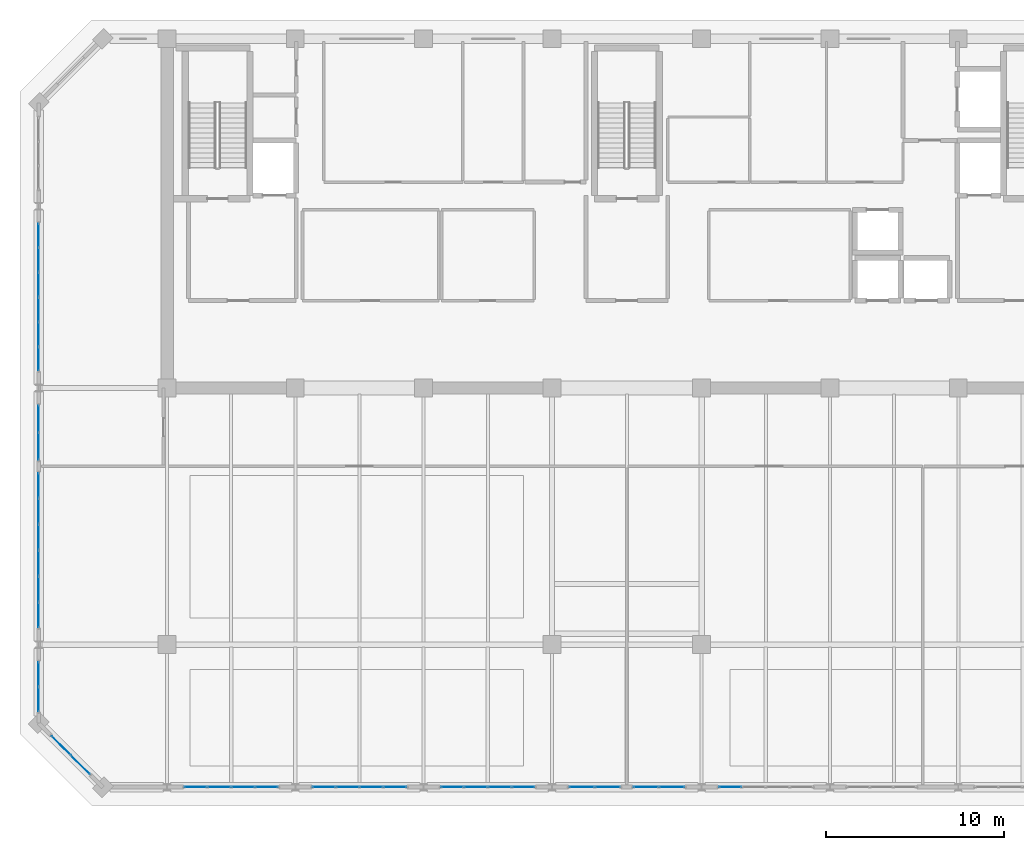
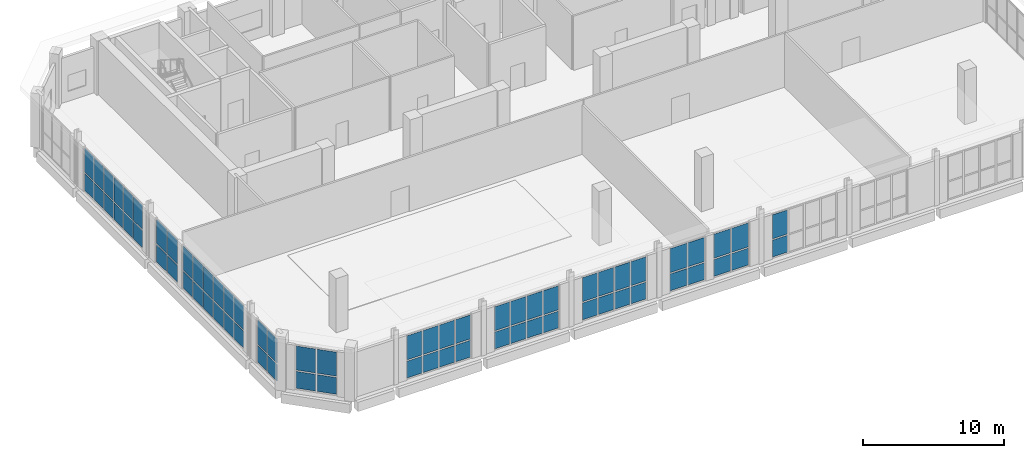
# One storey, part 27 of 36: 70 plates, 11 elements without a shape of their own.
"""IFC4 building model written with IfcOpenShell, lengths in metres."""

from ifc_helpers import new_model, si_unit, direction, frame, origin, origin_2d, place, context, subcontext, project, spatial, rectangle, extrude, material, layer, layer_set, type_object, element, aggregate, save


model = new_model("IFC4")

# Units and contexts
model_context = context("Model", 3, precision=1e-05, world=origin(), true_north=direction((0.0, 1.0)))
body_context = subcontext(model_context, "Body", "Model", "MODEL_VIEW")
ifc_project = project(units=[si_unit("LENGTHUNIT", "METRE"), si_unit("AREAUNIT", "SQUARE_METRE"), si_unit("VOLUMEUNIT", "CUBIC_METRE"), si_unit("PLANEANGLEUNIT", "RADIAN"), si_unit("MASSUNIT", "GRAM", prefix="KILO")], contexts=[model_context])

# Site, building, storey
site_placement = place(None, origin())
site = spatial("IfcSite", under=ifc_project, at=site_placement, CompositionType="ELEMENT")
building_placement = place(site_placement, origin())
building = spatial("IfcBuilding", under=site, at=building_placement, Name="Kaelvorn Grand Hotel", CompositionType="ELEMENT")
storey_placement = place(building_placement, frame((0.0, 0.0, 305.699951171875)))
storey = spatial("IfcBuildingStorey", under=building, at=storey_placement, Name="L74", CompositionType="ELEMENT", Elevation=305.699951171875)

# Curtain wall, plates
ifc_material_1 = material(Name="Anodised Aluminium", Category="aluminium")
ifc_layer_1 = layer(ifc_material_1, 0.159912109375)
ifc_layer_set_1 = layer_set([ifc_layer_1], Name="Anodised Aluminium")
curtain_wall_type = type_object("IfcCurtainWallType", Name="CW-SYS6", PredefinedType="NOTDEFINED", material=ifc_layer_set_1)
curtain_wall_1_placement = place(storey_placement, origin())
curtain_wall_1 = element("IfcCurtainWall", 1, at=curtain_wall_1_placement, inside=storey, type_object=curtain_wall_type, Name="L74 Unitised Curtain Wall CW6 (CW-L74-S-01)", PredefinedType="NOTDEFINED")
ifc_material_2 = material(Name="Laminated Low-E Glass", Category="glass")
ifc_layer_2 = layer(ifc_material_2, 0.02587890625)
ifc_layer_set_2 = layer_set([ifc_layer_2], Name="Laminated Low-E Glass")
plate_type = type_object("IfcPlateType", Name="CW-SYS6-PAN", PredefinedType="CURTAIN_PANEL", material=ifc_layer_set_2)
plate_1_placement = place(storey_placement, frame((17.80615234375, 7.0, 0.1201171875), z_axis=(0.0, 0.0, 1.0), x_axis=(1.0, 0.0, 0.0)))
plate_1 = element("IfcPlate", 2, at=plate_1_placement, type_object=plate_type, Name="CW6 panel 1.1", PredefinedType="CURTAIN_PANEL", context=body_context, shape_type="SweptSolid", body=[
    extrude(rectangle(XDim=1.242431640625, YDim=0.02587890625, at=origin_2d()), origin(), (0.0, 0.0, 1.0), 1.4580078125),
])
plate_2_placement = place(storey_placement, frame((17.80615234375, 7.0, 1.697998046875), z_axis=(0.0, 0.0, 1.0), x_axis=(1.0, 0.0, 0.0)))
plate_2 = element("IfcPlate", 3, at=plate_2_placement, type_object=plate_type, Name="CW6 panel 1.2", PredefinedType="CURTAIN_PANEL", context=body_context, shape_type="SweptSolid", body=[
    extrude(rectangle(XDim=1.242431640625, YDim=0.02587890625, at=origin_2d()), origin(), (0.0, 0.0, 1.0), 2.08203125),
])
plate_3_placement = place(storey_placement, frame((19.1298828125, 7.0, 0.1201171875), z_axis=(0.0, 0.0, 1.0), x_axis=(1.0, 0.0, 0.0)))
plate_3 = element("IfcPlate", 4, at=plate_3_placement, type_object=plate_type, Name="CW6 panel 2.1", PredefinedType="CURTAIN_PANEL", context=body_context, shape_type="SweptSolid", body=[
    extrude(rectangle(XDim=1.27490234375, YDim=0.02587890625, at=origin_2d()), origin(), (0.0, 0.0, 1.0), 1.4580078125),
])
plate_4_placement = place(storey_placement, frame((19.1298828125, 7.0, 1.697998046875), z_axis=(0.0, 0.0, 1.0), x_axis=(1.0, 0.0, 0.0)))
plate_4 = element("IfcPlate", 5, at=plate_4_placement, type_object=plate_type, Name="CW6 panel 2.2", PredefinedType="CURTAIN_PANEL", context=body_context, shape_type="SweptSolid", body=[
    extrude(rectangle(XDim=1.27490234375, YDim=0.02587890625, at=origin_2d()), origin(), (0.0, 0.0, 1.0), 2.08203125),
])
plate_5_placement = place(storey_placement, frame((20.469970703125, 7.0, 0.1201171875), z_axis=(0.0, 0.0, 1.0), x_axis=(1.0, 0.0, 0.0)))
plate_5 = element("IfcPlate", 6, at=plate_5_placement, type_object=plate_type, Name="CW6 panel 3.1", PredefinedType="CURTAIN_PANEL", context=body_context, shape_type="SweptSolid", body=[
    extrude(rectangle(XDim=1.27490234375, YDim=0.02587890625, at=origin_2d()), origin(), (0.0, 0.0, 1.0), 1.4580078125),
])
plate_6_placement = place(storey_placement, frame((20.469970703125, 7.0, 1.697998046875), z_axis=(0.0, 0.0, 1.0), x_axis=(1.0, 0.0, 0.0)))
plate_6 = element("IfcPlate", 7, at=plate_6_placement, type_object=plate_type, Name="CW6 panel 3.2", PredefinedType="CURTAIN_PANEL", context=body_context, shape_type="SweptSolid", body=[
    extrude(rectangle(XDim=1.27490234375, YDim=0.02587890625, at=origin_2d()), origin(), (0.0, 0.0, 1.0), 2.08203125),
])
plate_7_placement = place(storey_placement, frame((21.793701171875, 7.0, 0.1201171875), z_axis=(0.0, 0.0, 1.0), x_axis=(1.0, 0.0, 0.0)))
plate_7 = element("IfcPlate", 8, at=plate_7_placement, type_object=plate_type, Name="CW6 panel 4.1", PredefinedType="CURTAIN_PANEL", context=body_context, shape_type="SweptSolid", body=[
    extrude(rectangle(XDim=1.242431640625, YDim=0.02587890625, at=origin_2d()), origin(), (0.0, 0.0, 1.0), 1.4580078125),
])
plate_8_placement = place(storey_placement, frame((21.793701171875, 7.0, 1.697998046875), z_axis=(0.0, 0.0, 1.0), x_axis=(1.0, 0.0, 0.0)))
plate_8 = element("IfcPlate", 9, at=plate_8_placement, type_object=plate_type, Name="CW6 panel 4.2", PredefinedType="CURTAIN_PANEL", context=body_context, shape_type="SweptSolid", body=[
    extrude(rectangle(XDim=1.242431640625, YDim=0.02587890625, at=origin_2d()), origin(), (0.0, 0.0, 1.0), 2.08203125),
])
aggregate(curtain_wall_1, [plate_1, plate_2, plate_3, plate_4, plate_5, plate_6, plate_7, plate_8])

curtain_wall_2_placement = place(storey_placement, origin())
curtain_wall_2 = element("IfcCurtainWall", 10, at=curtain_wall_2_placement, inside=storey, type_object=curtain_wall_type, Name="L74 Unitised Curtain Wall CW6 (CW-L74-S-02)", PredefinedType="NOTDEFINED")
plate_9_placement = place(storey_placement, frame((25.00634765625, 7.0, 0.1201171875), z_axis=(0.0, 0.0, 1.0), x_axis=(1.0, 0.0, 0.0)))
plate_9 = element("IfcPlate", 11, at=plate_9_placement, type_object=plate_type, Name="CW6 panel 1.1", PredefinedType="CURTAIN_PANEL", context=body_context, shape_type="SweptSolid", body=[
    extrude(rectangle(XDim=1.242431640625, YDim=0.02587890625, at=origin_2d()), origin(), (0.0, 0.0, 1.0), 1.4580078125),
])
plate_10_placement = place(storey_placement, frame((25.00634765625, 7.0, 1.697998046875), z_axis=(0.0, 0.0, 1.0), x_axis=(1.0, 0.0, 0.0)))
plate_10 = element("IfcPlate", 12, at=plate_10_placement, type_object=plate_type, Name="CW6 panel 1.2", PredefinedType="CURTAIN_PANEL", context=body_context, shape_type="SweptSolid", body=[
    extrude(rectangle(XDim=1.242431640625, YDim=0.02587890625, at=origin_2d()), origin(), (0.0, 0.0, 1.0), 2.08203125),
])
plate_11_placement = place(storey_placement, frame((26.330078125, 7.0, 0.1201171875), z_axis=(0.0, 0.0, 1.0), x_axis=(1.0, 0.0, 0.0)))
plate_11 = element("IfcPlate", 13, at=plate_11_placement, type_object=plate_type, Name="CW6 panel 2.1", PredefinedType="CURTAIN_PANEL", context=body_context, shape_type="SweptSolid", body=[
    extrude(rectangle(XDim=1.27490234375, YDim=0.02587890625, at=origin_2d()), origin(), (0.0, 0.0, 1.0), 1.4580078125),
])
plate_12_placement = place(storey_placement, frame((26.330078125, 7.0, 1.697998046875), z_axis=(0.0, 0.0, 1.0), x_axis=(1.0, 0.0, 0.0)))
plate_12 = element("IfcPlate", 14, at=plate_12_placement, type_object=plate_type, Name="CW6 panel 2.2", PredefinedType="CURTAIN_PANEL", context=body_context, shape_type="SweptSolid", body=[
    extrude(rectangle(XDim=1.27490234375, YDim=0.02587890625, at=origin_2d()), origin(), (0.0, 0.0, 1.0), 2.08203125),
])
plate_13_placement = place(storey_placement, frame((27.669921875, 7.0, 0.1201171875), z_axis=(0.0, 0.0, 1.0), x_axis=(1.0, 0.0, 0.0)))
plate_13 = element("IfcPlate", 15, at=plate_13_placement, type_object=plate_type, Name="CW6 panel 3.1", PredefinedType="CURTAIN_PANEL", context=body_context, shape_type="SweptSolid", body=[
    extrude(rectangle(XDim=1.27490234375, YDim=0.02587890625, at=origin_2d()), origin(), (0.0, 0.0, 1.0), 1.4580078125),
])
plate_14_placement = place(storey_placement, frame((27.669921875, 7.0, 1.697998046875), z_axis=(0.0, 0.0, 1.0), x_axis=(1.0, 0.0, 0.0)))
plate_14 = element("IfcPlate", 16, at=plate_14_placement, type_object=plate_type, Name="CW6 panel 3.2", PredefinedType="CURTAIN_PANEL", context=body_context, shape_type="SweptSolid", body=[
    extrude(rectangle(XDim=1.27490234375, YDim=0.02587890625, at=origin_2d()), origin(), (0.0, 0.0, 1.0), 2.08203125),
])
plate_15_placement = place(storey_placement, frame((28.99365234375, 7.0, 0.1201171875), z_axis=(0.0, 0.0, 1.0), x_axis=(1.0, 0.0, 0.0)))
plate_15 = element("IfcPlate", 17, at=plate_15_placement, type_object=plate_type, Name="CW6 panel 4.1", PredefinedType="CURTAIN_PANEL", context=body_context, shape_type="SweptSolid", body=[
    extrude(rectangle(XDim=1.242431640625, YDim=0.02587890625, at=origin_2d()), origin(), (0.0, 0.0, 1.0), 1.4580078125),
])
plate_16_placement = place(storey_placement, frame((28.99365234375, 7.0, 1.697998046875), z_axis=(0.0, 0.0, 1.0), x_axis=(1.0, 0.0, 0.0)))
plate_16 = element("IfcPlate", 18, at=plate_16_placement, type_object=plate_type, Name="CW6 panel 4.2", PredefinedType="CURTAIN_PANEL", context=body_context, shape_type="SweptSolid", body=[
    extrude(rectangle(XDim=1.242431640625, YDim=0.02587890625, at=origin_2d()), origin(), (0.0, 0.0, 1.0), 2.08203125),
])
aggregate(curtain_wall_2, [plate_9, plate_10, plate_11, plate_12, plate_13, plate_14, plate_15, plate_16])

curtain_wall_3_placement = place(storey_placement, origin())
curtain_wall_3 = element("IfcCurtainWall", 19, at=curtain_wall_3_placement, inside=storey, type_object=curtain_wall_type, Name="L74 Unitised Curtain Wall CW6 (CW-L74-S-03)", PredefinedType="NOTDEFINED")
plate_17_placement = place(storey_placement, frame((32.206298828125, 7.0, 0.1201171875), z_axis=(0.0, 0.0, 1.0), x_axis=(1.0, 0.0, 0.0)))
plate_17 = element("IfcPlate", 20, at=plate_17_placement, type_object=plate_type, Name="CW6 panel 1.1", PredefinedType="CURTAIN_PANEL", context=body_context, shape_type="SweptSolid", body=[
    extrude(rectangle(XDim=1.242431640625, YDim=0.02587890625, at=origin_2d()), origin(), (0.0, 0.0, 1.0), 1.4580078125),
])
plate_18_placement = place(storey_placement, frame((32.206298828125, 7.0, 1.697998046875), z_axis=(0.0, 0.0, 1.0), x_axis=(1.0, 0.0, 0.0)))
plate_18 = element("IfcPlate", 21, at=plate_18_placement, type_object=plate_type, Name="CW6 panel 1.2", PredefinedType="CURTAIN_PANEL", context=body_context, shape_type="SweptSolid", body=[
    extrude(rectangle(XDim=1.242431640625, YDim=0.02587890625, at=origin_2d()), origin(), (0.0, 0.0, 1.0), 2.08203125),
])
plate_19_placement = place(storey_placement, frame((33.530029296875, 7.0, 0.1201171875), z_axis=(0.0, 0.0, 1.0), x_axis=(1.0, 0.0, 0.0)))
plate_19 = element("IfcPlate", 22, at=plate_19_placement, type_object=plate_type, Name="CW6 panel 2.1", PredefinedType="CURTAIN_PANEL", context=body_context, shape_type="SweptSolid", body=[
    extrude(rectangle(XDim=1.27490234375, YDim=0.02587890625, at=origin_2d()), origin(), (0.0, 0.0, 1.0), 1.4580078125),
])
plate_20_placement = place(storey_placement, frame((33.530029296875, 7.0, 1.697998046875), z_axis=(0.0, 0.0, 1.0), x_axis=(1.0, 0.0, 0.0)))
plate_20 = element("IfcPlate", 23, at=plate_20_placement, type_object=plate_type, Name="CW6 panel 2.2", PredefinedType="CURTAIN_PANEL", context=body_context, shape_type="SweptSolid", body=[
    extrude(rectangle(XDim=1.27490234375, YDim=0.02587890625, at=origin_2d()), origin(), (0.0, 0.0, 1.0), 2.08203125),
])
plate_21_placement = place(storey_placement, frame((34.8701171875, 7.0, 0.1201171875), z_axis=(0.0, 0.0, 1.0), x_axis=(1.0, 0.0, 0.0)))
plate_21 = element("IfcPlate", 24, at=plate_21_placement, type_object=plate_type, Name="CW6 panel 3.1", PredefinedType="CURTAIN_PANEL", context=body_context, shape_type="SweptSolid", body=[
    extrude(rectangle(XDim=1.27490234375, YDim=0.02587890625, at=origin_2d()), origin(), (0.0, 0.0, 1.0), 1.4580078125),
])
plate_22_placement = place(storey_placement, frame((34.8701171875, 7.0, 1.697998046875), z_axis=(0.0, 0.0, 1.0), x_axis=(1.0, 0.0, 0.0)))
plate_22 = element("IfcPlate", 25, at=plate_22_placement, type_object=plate_type, Name="CW6 panel 3.2", PredefinedType="CURTAIN_PANEL", context=body_context, shape_type="SweptSolid", body=[
    extrude(rectangle(XDim=1.27490234375, YDim=0.02587890625, at=origin_2d()), origin(), (0.0, 0.0, 1.0), 2.08203125),
])
plate_23_placement = place(storey_placement, frame((36.19384765625, 7.0, 0.1201171875), z_axis=(0.0, 0.0, 1.0), x_axis=(1.0, 0.0, 0.0)))
plate_23 = element("IfcPlate", 26, at=plate_23_placement, type_object=plate_type, Name="CW6 panel 4.1", PredefinedType="CURTAIN_PANEL", context=body_context, shape_type="SweptSolid", body=[
    extrude(rectangle(XDim=1.242431640625, YDim=0.02587890625, at=origin_2d()), origin(), (0.0, 0.0, 1.0), 1.4580078125),
])
plate_24_placement = place(storey_placement, frame((36.19384765625, 7.0, 1.697998046875), z_axis=(0.0, 0.0, 1.0), x_axis=(1.0, 0.0, 0.0)))
plate_24 = element("IfcPlate", 27, at=plate_24_placement, type_object=plate_type, Name="CW6 panel 4.2", PredefinedType="CURTAIN_PANEL", context=body_context, shape_type="SweptSolid", body=[
    extrude(rectangle(XDim=1.242431640625, YDim=0.02587890625, at=origin_2d()), origin(), (0.0, 0.0, 1.0), 2.08203125),
])
aggregate(curtain_wall_3, [plate_17, plate_18, plate_19, plate_20, plate_21, plate_22, plate_23, plate_24])

curtain_wall_4_placement = place(storey_placement, origin())
curtain_wall_4 = element("IfcCurtainWall", 28, at=curtain_wall_4_placement, inside=storey, type_object=curtain_wall_type, Name="L74 Unitised Curtain Wall CW6 (CW-L74-S-04)", PredefinedType="NOTDEFINED")
plate_25_placement = place(storey_placement, frame((39.476318359375, 7.0, 0.1201171875), z_axis=(0.0, 0.0, 1.0), x_axis=(1.0, 0.0, 0.0)))
plate_25 = element("IfcPlate", 29, at=plate_25_placement, type_object=plate_type, Name="CW6 panel 1.1", PredefinedType="CURTAIN_PANEL", context=body_context, shape_type="SweptSolid", body=[
    extrude(rectangle(XDim=1.382568359375, YDim=0.02587890625, at=origin_2d()), origin(), (0.0, 0.0, 1.0), 1.4580078125),
])
plate_26_placement = place(storey_placement, frame((39.476318359375, 7.0, 1.697998046875), z_axis=(0.0, 0.0, 1.0), x_axis=(1.0, 0.0, 0.0)))
plate_26 = element("IfcPlate", 30, at=plate_26_placement, type_object=plate_type, Name="CW6 panel 1.2", PredefinedType="CURTAIN_PANEL", context=body_context, shape_type="SweptSolid", body=[
    extrude(rectangle(XDim=1.382568359375, YDim=0.02587890625, at=origin_2d()), origin(), (0.0, 0.0, 1.0), 2.08203125),
])
plate_27_placement = place(storey_placement, frame((40.923828125, 7.0, 0.1201171875), z_axis=(0.0, 0.0, 1.0), x_axis=(1.0, 0.0, 0.0)))
plate_27 = element("IfcPlate", 31, at=plate_27_placement, type_object=plate_type, Name="CW6 panel 2.1", PredefinedType="CURTAIN_PANEL", context=body_context, shape_type="SweptSolid", body=[
    extrude(rectangle(XDim=1.382568359375, YDim=0.02587890625, at=origin_2d()), origin(), (0.0, 0.0, 1.0), 1.4580078125),
])
plate_28_placement = place(storey_placement, frame((40.923828125, 7.0, 1.697998046875), z_axis=(0.0, 0.0, 1.0), x_axis=(1.0, 0.0, 0.0)))
plate_28 = element("IfcPlate", 32, at=plate_28_placement, type_object=plate_type, Name="CW6 panel 2.2", PredefinedType="CURTAIN_PANEL", context=body_context, shape_type="SweptSolid", body=[
    extrude(rectangle(XDim=1.382568359375, YDim=0.02587890625, at=origin_2d()), origin(), (0.0, 0.0, 1.0), 2.08203125),
])
aggregate(curtain_wall_4, [plate_25, plate_26, plate_27, plate_28])

curtain_wall_5_placement = place(storey_placement, origin())
curtain_wall_5 = element("IfcCurtainWall", 33, at=curtain_wall_5_placement, inside=storey, type_object=curtain_wall_type, Name="L74 Unitised Curtain Wall CW6 (CW-L74-S-05)", PredefinedType="NOTDEFINED")
plate_29_placement = place(storey_placement, frame((43.076171875, 7.0, 0.1201171875), z_axis=(0.0, 0.0, 1.0), x_axis=(1.0, 0.0, 0.0)))
plate_29 = element("IfcPlate", 34, at=plate_29_placement, type_object=plate_type, Name="CW6 panel 1.1", PredefinedType="CURTAIN_PANEL", context=body_context, shape_type="SweptSolid", body=[
    extrude(rectangle(XDim=1.382568359375, YDim=0.02587890625, at=origin_2d()), origin(), (0.0, 0.0, 1.0), 1.4580078125),
])
plate_30_placement = place(storey_placement, frame((43.076171875, 7.0, 1.697998046875), z_axis=(0.0, 0.0, 1.0), x_axis=(1.0, 0.0, 0.0)))
plate_30 = element("IfcPlate", 35, at=plate_30_placement, type_object=plate_type, Name="CW6 panel 1.2", PredefinedType="CURTAIN_PANEL", context=body_context, shape_type="SweptSolid", body=[
    extrude(rectangle(XDim=1.382568359375, YDim=0.02587890625, at=origin_2d()), origin(), (0.0, 0.0, 1.0), 2.08203125),
])
plate_31_placement = place(storey_placement, frame((44.523681640625, 7.0, 0.1201171875), z_axis=(0.0, 0.0, 1.0), x_axis=(1.0, 0.0, 0.0)))
plate_31 = element("IfcPlate", 36, at=plate_31_placement, type_object=plate_type, Name="CW6 panel 2.1", PredefinedType="CURTAIN_PANEL", context=body_context, shape_type="SweptSolid", body=[
    extrude(rectangle(XDim=1.382568359375, YDim=0.02587890625, at=origin_2d()), origin(), (0.0, 0.0, 1.0), 1.4580078125),
])
plate_32_placement = place(storey_placement, frame((44.523681640625, 7.0, 1.697998046875), z_axis=(0.0, 0.0, 1.0), x_axis=(1.0, 0.0, 0.0)))
plate_32 = element("IfcPlate", 37, at=plate_32_placement, type_object=plate_type, Name="CW6 panel 2.2", PredefinedType="CURTAIN_PANEL", context=body_context, shape_type="SweptSolid", body=[
    extrude(rectangle(XDim=1.382568359375, YDim=0.02587890625, at=origin_2d()), origin(), (0.0, 0.0, 1.0), 2.08203125),
])
aggregate(curtain_wall_5, [plate_29, plate_30, plate_31, plate_32])

curtain_wall_6_placement = place(storey_placement, origin())
curtain_wall_6 = element("IfcCurtainWall", 38, at=curtain_wall_6_placement, inside=storey, type_object=curtain_wall_type, Name="L74 Unitised Curtain Wall CW6 (CW-L74-S-06)", PredefinedType="NOTDEFINED")
plate_33_placement = place(storey_placement, frame((47.80615234375, 7.0, 0.1201171875), z_axis=(0.0, 0.0, 1.0), x_axis=(1.0, 0.0, 0.0)))
plate_33 = element("IfcPlate", 39, at=plate_33_placement, type_object=plate_type, Name="CW6 panel 1.1", PredefinedType="CURTAIN_PANEL", context=body_context, shape_type="SweptSolid", body=[
    extrude(rectangle(XDim=1.242431640625, YDim=0.02587890625, at=origin_2d()), origin(), (0.0, 0.0, 1.0), 1.4580078125),
])
plate_34_placement = place(storey_placement, frame((47.80615234375, 7.0, 1.697998046875), z_axis=(0.0, 0.0, 1.0), x_axis=(1.0, 0.0, 0.0)))
plate_34 = element("IfcPlate", 40, at=plate_34_placement, type_object=plate_type, Name="CW6 panel 1.2", PredefinedType="CURTAIN_PANEL", context=body_context, shape_type="SweptSolid", body=[
    extrude(rectangle(XDim=1.242431640625, YDim=0.02587890625, at=origin_2d()), origin(), (0.0, 0.0, 1.0), 2.08203125),
])
aggregate(curtain_wall_6, [plate_33, plate_34])

curtain_wall_7_placement = place(storey_placement, origin())
curtain_wall_7 = element("IfcCurtainWall", 41, at=curtain_wall_7_placement, inside=storey, type_object=curtain_wall_type, Name="L74 Unitised Curtain Wall CW6 (CW-L74-W-04)", PredefinedType="NOTDEFINED")
plate_35_placement = place(storey_placement, frame((9.0, 37.967041015625, 0.1201171875), z_axis=(0.0, 0.0, 1.0), x_axis=(0.0, -1.0, 0.0)))
plate_35 = element("IfcPlate", 42, at=plate_35_placement, type_object=plate_type, Name="CW6 panel 1.1", PredefinedType="CURTAIN_PANEL", context=body_context, shape_type="SweptSolid", body=[
    extrude(rectangle(XDim=1.2958984375, YDim=0.02587890625, at=origin_2d()), origin(), (0.0, 0.0, 1.0), 1.4580078125),
])
plate_36_placement = place(storey_placement, frame((9.0, 37.967041015625, 1.697998046875), z_axis=(0.0, 0.0, 1.0), x_axis=(0.0, -1.0, 0.0)))
plate_36 = element("IfcPlate", 43, at=plate_36_placement, type_object=plate_type, Name="CW6 panel 1.2", PredefinedType="CURTAIN_PANEL", context=body_context, shape_type="SweptSolid", body=[
    extrude(rectangle(XDim=1.2958984375, YDim=0.02587890625, at=origin_2d()), origin(), (0.0, 0.0, 1.0), 2.08203125),
])
plate_37_placement = place(storey_placement, frame((9.0, 36.590087890625, 0.1201171875), z_axis=(0.0, 0.0, 1.0), x_axis=(0.0, -1.0, 0.0)))
plate_37 = element("IfcPlate", 44, at=plate_37_placement, type_object=plate_type, Name="CW6 panel 2.1", PredefinedType="CURTAIN_PANEL", context=body_context, shape_type="SweptSolid", body=[
    extrude(rectangle(XDim=1.328369140625, YDim=0.02587890625, at=origin_2d()), origin(), (0.0, 0.0, 1.0), 1.4580078125),
])
plate_38_placement = place(storey_placement, frame((9.0, 36.590087890625, 1.697998046875), z_axis=(0.0, 0.0, 1.0), x_axis=(0.0, -1.0, 0.0)))
plate_38 = element("IfcPlate", 45, at=plate_38_placement, type_object=plate_type, Name="CW6 panel 2.2", PredefinedType="CURTAIN_PANEL", context=body_context, shape_type="SweptSolid", body=[
    extrude(rectangle(XDim=1.328369140625, YDim=0.02587890625, at=origin_2d()), origin(), (0.0, 0.0, 1.0), 2.08203125),
])
plate_39_placement = place(storey_placement, frame((9.0, 35.19677734375, 0.1201171875), z_axis=(0.0, 0.0, 1.0), x_axis=(0.0, -1.0, 0.0)))
plate_39 = element("IfcPlate", 46, at=plate_39_placement, type_object=plate_type, Name="CW6 panel 3.1", PredefinedType="CURTAIN_PANEL", context=body_context, shape_type="SweptSolid", body=[
    extrude(rectangle(XDim=1.328369140625, YDim=0.02587890625, at=origin_2d()), origin(), (0.0, 0.0, 1.0), 1.4580078125),
])
plate_40_placement = place(storey_placement, frame((9.0, 35.19677734375, 1.697998046875), z_axis=(0.0, 0.0, 1.0), x_axis=(0.0, -1.0, 0.0)))
plate_40 = element("IfcPlate", 47, at=plate_40_placement, type_object=plate_type, Name="CW6 panel 3.2", PredefinedType="CURTAIN_PANEL", context=body_context, shape_type="SweptSolid", body=[
    extrude(rectangle(XDim=1.328369140625, YDim=0.02587890625, at=origin_2d()), origin(), (0.0, 0.0, 1.0), 2.08203125),
])
plate_41_placement = place(storey_placement, frame((9.0, 33.80322265625, 0.1201171875), z_axis=(0.0, 0.0, 1.0), x_axis=(0.0, -1.0, 0.0)))
plate_41 = element("IfcPlate", 48, at=plate_41_placement, type_object=plate_type, Name="CW6 panel 4.1", PredefinedType="CURTAIN_PANEL", context=body_context, shape_type="SweptSolid", body=[
    extrude(rectangle(XDim=1.328369140625, YDim=0.02587890625, at=origin_2d()), origin(), (0.0, 0.0, 1.0), 1.4580078125),
])
plate_42_placement = place(storey_placement, frame((9.0, 33.80322265625, 1.697998046875), z_axis=(0.0, 0.0, 1.0), x_axis=(0.0, -1.0, 0.0)))
plate_42 = element("IfcPlate", 49, at=plate_42_placement, type_object=plate_type, Name="CW6 panel 4.2", PredefinedType="CURTAIN_PANEL", context=body_context, shape_type="SweptSolid", body=[
    extrude(rectangle(XDim=1.328369140625, YDim=0.02587890625, at=origin_2d()), origin(), (0.0, 0.0, 1.0), 2.08203125),
])
plate_43_placement = place(storey_placement, frame((9.0, 32.409912109375, 0.1201171875), z_axis=(0.0, 0.0, 1.0), x_axis=(0.0, -1.0, 0.0)))
plate_43 = element("IfcPlate", 50, at=plate_43_placement, type_object=plate_type, Name="CW6 panel 5.1", PredefinedType="CURTAIN_PANEL", context=body_context, shape_type="SweptSolid", body=[
    extrude(rectangle(XDim=1.328369140625, YDim=0.02587890625, at=origin_2d()), origin(), (0.0, 0.0, 1.0), 1.4580078125),
])
plate_44_placement = place(storey_placement, frame((9.0, 32.409912109375, 1.697998046875), z_axis=(0.0, 0.0, 1.0), x_axis=(0.0, -1.0, 0.0)))
plate_44 = element("IfcPlate", 51, at=plate_44_placement, type_object=plate_type, Name="CW6 panel 5.2", PredefinedType="CURTAIN_PANEL", context=body_context, shape_type="SweptSolid", body=[
    extrude(rectangle(XDim=1.328369140625, YDim=0.02587890625, at=origin_2d()), origin(), (0.0, 0.0, 1.0), 2.08203125),
])
plate_45_placement = place(storey_placement, frame((9.0, 31.032958984375, 0.1201171875), z_axis=(0.0, 0.0, 1.0), x_axis=(0.0, -1.0, 0.0)))
plate_45 = element("IfcPlate", 52, at=plate_45_placement, type_object=plate_type, Name="CW6 panel 6.1", PredefinedType="CURTAIN_PANEL", context=body_context, shape_type="SweptSolid", body=[
    extrude(rectangle(XDim=1.2958984375, YDim=0.02587890625, at=origin_2d()), origin(), (0.0, 0.0, 1.0), 1.4580078125),
])
plate_46_placement = place(storey_placement, frame((9.0, 31.032958984375, 1.697998046875), z_axis=(0.0, 0.0, 1.0), x_axis=(0.0, -1.0, 0.0)))
plate_46 = element("IfcPlate", 53, at=plate_46_placement, type_object=plate_type, Name="CW6 panel 6.2", PredefinedType="CURTAIN_PANEL", context=body_context, shape_type="SweptSolid", body=[
    extrude(rectangle(XDim=1.2958984375, YDim=0.02587890625, at=origin_2d()), origin(), (0.0, 0.0, 1.0), 2.08203125),
])
aggregate(curtain_wall_7, [plate_35, plate_36, plate_37, plate_38, plate_39, plate_40, plate_41, plate_42, plate_43, plate_44, plate_45, plate_46])

curtain_wall_8_placement = place(storey_placement, origin())
curtain_wall_8 = element("IfcCurtainWall", 54, at=curtain_wall_8_placement, inside=storey, type_object=curtain_wall_type, Name="L74 Unitised Curtain Wall CW6 (CW-L74-W-03)", PredefinedType="NOTDEFINED")
plate_47_placement = place(storey_placement, frame((9.0, 27.673828125, 0.1201171875), z_axis=(0.0, 0.0, 1.0), x_axis=(0.0, -1.0, 0.0)))
plate_47 = element("IfcPlate", 55, at=plate_47_placement, type_object=plate_type, Name="CW6 panel 1.1", PredefinedType="CURTAIN_PANEL", context=body_context, shape_type="SweptSolid", body=[
    extrude(rectangle(XDim=1.482421875, YDim=0.02587890625, at=origin_2d()), origin(), (0.0, 0.0, 1.0), 1.4580078125),
])
plate_48_placement = place(storey_placement, frame((9.0, 27.673828125, 1.697998046875), z_axis=(0.0, 0.0, 1.0), x_axis=(0.0, -1.0, 0.0)))
plate_48 = element("IfcPlate", 56, at=plate_48_placement, type_object=plate_type, Name="CW6 panel 1.2", PredefinedType="CURTAIN_PANEL", context=body_context, shape_type="SweptSolid", body=[
    extrude(rectangle(XDim=1.482421875, YDim=0.02587890625, at=origin_2d()), origin(), (0.0, 0.0, 1.0), 2.08203125),
])
plate_49_placement = place(storey_placement, frame((9.0, 26.126220703125, 0.1201171875), z_axis=(0.0, 0.0, 1.0), x_axis=(0.0, -1.0, 0.0)))
plate_49 = element("IfcPlate", 57, at=plate_49_placement, type_object=plate_type, Name="CW6 panel 2.1", PredefinedType="CURTAIN_PANEL", context=body_context, shape_type="SweptSolid", body=[
    extrude(rectangle(XDim=1.482421875, YDim=0.02587890625, at=origin_2d()), origin(), (0.0, 0.0, 1.0), 1.4580078125),
])
plate_50_placement = place(storey_placement, frame((9.0, 26.126220703125, 1.697998046875), z_axis=(0.0, 0.0, 1.0), x_axis=(0.0, -1.0, 0.0)))
plate_50 = element("IfcPlate", 58, at=plate_50_placement, type_object=plate_type, Name="CW6 panel 2.2", PredefinedType="CURTAIN_PANEL", context=body_context, shape_type="SweptSolid", body=[
    extrude(rectangle(XDim=1.482421875, YDim=0.02587890625, at=origin_2d()), origin(), (0.0, 0.0, 1.0), 2.08203125),
])
aggregate(curtain_wall_8, [plate_47, plate_48, plate_49, plate_50])

curtain_wall_9_placement = place(storey_placement, origin())
curtain_wall_9 = element("IfcCurtainWall", 59, at=curtain_wall_9_placement, inside=storey, type_object=curtain_wall_type, Name="L74 Unitised Curtain Wall CW6 (CW-L74-W-02)", PredefinedType="NOTDEFINED")
plate_51_placement = place(storey_placement, frame((9.0, 23.933837890625, 0.1201171875), z_axis=(0.0, 0.0, 1.0), x_axis=(0.0, -1.0, 0.0)))
plate_51 = element("IfcPlate", 60, at=plate_51_placement, type_object=plate_type, Name="CW6 panel 1.1", PredefinedType="CURTAIN_PANEL", context=body_context, shape_type="SweptSolid", body=[
    extrude(rectangle(XDim=1.362548828125, YDim=0.02587890625, at=origin_2d()), origin(), (0.0, 0.0, 1.0), 1.4580078125),
])
plate_52_placement = place(storey_placement, frame((9.0, 23.933837890625, 1.697998046875), z_axis=(0.0, 0.0, 1.0), x_axis=(0.0, -1.0, 0.0)))
plate_52 = element("IfcPlate", 61, at=plate_52_placement, type_object=plate_type, Name="CW6 panel 1.2", PredefinedType="CURTAIN_PANEL", context=body_context, shape_type="SweptSolid", body=[
    extrude(rectangle(XDim=1.362548828125, YDim=0.02587890625, at=origin_2d()), origin(), (0.0, 0.0, 1.0), 2.08203125),
])
plate_53_placement = place(storey_placement, frame((9.0, 22.489990234375, 0.1201171875), z_axis=(0.0, 0.0, 1.0), x_axis=(0.0, -1.0, 0.0)))
plate_53 = element("IfcPlate", 62, at=plate_53_placement, type_object=plate_type, Name="CW6 panel 2.1", PredefinedType="CURTAIN_PANEL", context=body_context, shape_type="SweptSolid", body=[
    extrude(rectangle(XDim=1.39501953125, YDim=0.02587890625, at=origin_2d()), origin(), (0.0, 0.0, 1.0), 1.4580078125),
])
plate_54_placement = place(storey_placement, frame((9.0, 22.489990234375, 1.697998046875), z_axis=(0.0, 0.0, 1.0), x_axis=(0.0, -1.0, 0.0)))
plate_54 = element("IfcPlate", 63, at=plate_54_placement, type_object=plate_type, Name="CW6 panel 2.2", PredefinedType="CURTAIN_PANEL", context=body_context, shape_type="SweptSolid", body=[
    extrude(rectangle(XDim=1.39501953125, YDim=0.02587890625, at=origin_2d()), origin(), (0.0, 0.0, 1.0), 2.08203125),
])
plate_55_placement = place(storey_placement, frame((9.0, 21.030029296875, 0.1201171875), z_axis=(0.0, 0.0, 1.0), x_axis=(0.0, -1.0, 0.0)))
plate_55 = element("IfcPlate", 64, at=plate_55_placement, type_object=plate_type, Name="CW6 panel 3.1", PredefinedType="CURTAIN_PANEL", context=body_context, shape_type="SweptSolid", body=[
    extrude(rectangle(XDim=1.39501953125, YDim=0.02587890625, at=origin_2d()), origin(), (0.0, 0.0, 1.0), 1.4580078125),
])
plate_56_placement = place(storey_placement, frame((9.0, 21.030029296875, 1.697998046875), z_axis=(0.0, 0.0, 1.0), x_axis=(0.0, -1.0, 0.0)))
plate_56 = element("IfcPlate", 65, at=plate_56_placement, type_object=plate_type, Name="CW6 panel 3.2", PredefinedType="CURTAIN_PANEL", context=body_context, shape_type="SweptSolid", body=[
    extrude(rectangle(XDim=1.39501953125, YDim=0.02587890625, at=origin_2d()), origin(), (0.0, 0.0, 1.0), 2.08203125),
])
plate_57_placement = place(storey_placement, frame((9.0, 19.570068359375, 0.1201171875), z_axis=(0.0, 0.0, 1.0), x_axis=(0.0, -1.0, 0.0)))
plate_57 = element("IfcPlate", 66, at=plate_57_placement, type_object=plate_type, Name="CW6 panel 4.1", PredefinedType="CURTAIN_PANEL", context=body_context, shape_type="SweptSolid", body=[
    extrude(rectangle(XDim=1.39501953125, YDim=0.02587890625, at=origin_2d()), origin(), (0.0, 0.0, 1.0), 1.4580078125),
])
plate_58_placement = place(storey_placement, frame((9.0, 19.570068359375, 1.697998046875), z_axis=(0.0, 0.0, 1.0), x_axis=(0.0, -1.0, 0.0)))
plate_58 = element("IfcPlate", 67, at=plate_58_placement, type_object=plate_type, Name="CW6 panel 4.2", PredefinedType="CURTAIN_PANEL", context=body_context, shape_type="SweptSolid", body=[
    extrude(rectangle(XDim=1.39501953125, YDim=0.02587890625, at=origin_2d()), origin(), (0.0, 0.0, 1.0), 2.08203125),
])
plate_59_placement = place(storey_placement, frame((9.0, 18.110107421875, 0.1201171875), z_axis=(0.0, 0.0, 1.0), x_axis=(0.0, -1.0, 0.0)))
plate_59 = element("IfcPlate", 68, at=plate_59_placement, type_object=plate_type, Name="CW6 panel 5.1", PredefinedType="CURTAIN_PANEL", context=body_context, shape_type="SweptSolid", body=[
    extrude(rectangle(XDim=1.39501953125, YDim=0.02587890625, at=origin_2d()), origin(), (0.0, 0.0, 1.0), 1.4580078125),
])
plate_60_placement = place(storey_placement, frame((9.0, 18.110107421875, 1.697998046875), z_axis=(0.0, 0.0, 1.0), x_axis=(0.0, -1.0, 0.0)))
plate_60 = element("IfcPlate", 69, at=plate_60_placement, type_object=plate_type, Name="CW6 panel 5.2", PredefinedType="CURTAIN_PANEL", context=body_context, shape_type="SweptSolid", body=[
    extrude(rectangle(XDim=1.39501953125, YDim=0.02587890625, at=origin_2d()), origin(), (0.0, 0.0, 1.0), 2.08203125),
])
plate_61_placement = place(storey_placement, frame((9.0, 16.666259765625, 0.1201171875), z_axis=(0.0, 0.0, 1.0), x_axis=(0.0, -1.0, 0.0)))
plate_61 = element("IfcPlate", 70, at=plate_61_placement, type_object=plate_type, Name="CW6 panel 6.1", PredefinedType="CURTAIN_PANEL", context=body_context, shape_type="SweptSolid", body=[
    extrude(rectangle(XDim=1.362548828125, YDim=0.02587890625, at=origin_2d()), origin(), (0.0, 0.0, 1.0), 1.4580078125),
])
plate_62_placement = place(storey_placement, frame((9.0, 16.666259765625, 1.697998046875), z_axis=(0.0, 0.0, 1.0), x_axis=(0.0, -1.0, 0.0)))
plate_62 = element("IfcPlate", 71, at=plate_62_placement, type_object=plate_type, Name="CW6 panel 6.2", PredefinedType="CURTAIN_PANEL", context=body_context, shape_type="SweptSolid", body=[
    extrude(rectangle(XDim=1.362548828125, YDim=0.02587890625, at=origin_2d()), origin(), (0.0, 0.0, 1.0), 2.08203125),
])
aggregate(curtain_wall_9, [plate_51, plate_52, plate_53, plate_54, plate_55, plate_56, plate_57, plate_58, plate_59, plate_60, plate_61, plate_62])

curtain_wall_10_placement = place(storey_placement, origin())
curtain_wall_10 = element("IfcCurtainWall", 72, at=curtain_wall_10_placement, inside=storey, type_object=curtain_wall_type, Name="L74 Unitised Curtain Wall CW6 (CW-L74-W-01)", PredefinedType="NOTDEFINED")
plate_63_placement = place(storey_placement, frame((9.0, 13.34375, 0.1201171875), z_axis=(0.0, 0.0, 1.0), x_axis=(0.0, -1.0, 0.0)))
plate_63 = element("IfcPlate", 73, at=plate_63_placement, type_object=plate_type, Name="CW6 panel 1.1", PredefinedType="CURTAIN_PANEL", context=body_context, shape_type="SweptSolid", body=[
    extrude(rectangle(XDim=1.342529296875, YDim=0.02587890625, at=origin_2d()), origin(), (0.0, 0.0, 1.0), 1.4580078125),
])
plate_64_placement = place(storey_placement, frame((9.0, 13.34375, 1.697998046875), z_axis=(0.0, 0.0, 1.0), x_axis=(0.0, -1.0, 0.0)))
plate_64 = element("IfcPlate", 74, at=plate_64_placement, type_object=plate_type, Name="CW6 panel 1.2", PredefinedType="CURTAIN_PANEL", context=body_context, shape_type="SweptSolid", body=[
    extrude(rectangle(XDim=1.342529296875, YDim=0.02587890625, at=origin_2d()), origin(), (0.0, 0.0, 1.0), 2.08203125),
])
plate_65_placement = place(storey_placement, frame((9.0, 11.936279296875, 0.1201171875), z_axis=(0.0, 0.0, 1.0), x_axis=(0.0, -1.0, 0.0)))
plate_65 = element("IfcPlate", 75, at=plate_65_placement, type_object=plate_type, Name="CW6 panel 2.1", PredefinedType="CURTAIN_PANEL", context=body_context, shape_type="SweptSolid", body=[
    extrude(rectangle(XDim=1.342529296875, YDim=0.02587890625, at=origin_2d()), origin(), (0.0, 0.0, 1.0), 1.4580078125),
])
plate_66_placement = place(storey_placement, frame((9.0, 11.936279296875, 1.697998046875), z_axis=(0.0, 0.0, 1.0), x_axis=(0.0, -1.0, 0.0)))
plate_66 = element("IfcPlate", 76, at=plate_66_placement, type_object=plate_type, Name="CW6 panel 2.2", PredefinedType="CURTAIN_PANEL", context=body_context, shape_type="SweptSolid", body=[
    extrude(rectangle(XDim=1.342529296875, YDim=0.02587890625, at=origin_2d()), origin(), (0.0, 0.0, 1.0), 2.08203125),
])
aggregate(curtain_wall_10, [plate_63, plate_64, plate_65, plate_66])

curtain_wall_11_placement = place(storey_placement, origin())
curtain_wall_11 = element("IfcCurtainWall", 77, at=curtain_wall_11_placement, inside=storey, type_object=curtain_wall_type, Name="L74 Unitised Curtain Wall CW6 (CW-L74-SW)", PredefinedType="NOTDEFINED")
plate_67_placement = place(storey_placement, frame((10.258056640625, 9.342041015625, 0.1201171875), z_axis=(0.0, 0.0, 1.0), x_axis=(0.707106781187, -0.707106781187, 0.0)))
plate_67 = element("IfcPlate", 78, at=plate_67_placement, type_object=plate_type, Name="CW6 panel 1.1", PredefinedType="CURTAIN_PANEL", context=body_context, shape_type="SweptSolid", body=[
    extrude(rectangle(XDim=1.468017578125, YDim=0.02587890625, at=origin_2d()), origin(), (0.0, 0.0, 1.0), 1.4580078125),
])
plate_68_placement = place(storey_placement, frame((10.258056640625, 9.342041015625, 1.697998046875), z_axis=(0.0, 0.0, 1.0), x_axis=(0.707106781187, -0.707106781187, 0.0)))
plate_68 = element("IfcPlate", 79, at=plate_68_placement, type_object=plate_type, Name="CW6 panel 1.2", PredefinedType="CURTAIN_PANEL", context=body_context, shape_type="SweptSolid", body=[
    extrude(rectangle(XDim=1.468017578125, YDim=0.02587890625, at=origin_2d()), origin(), (0.0, 0.0, 1.0), 2.08203125),
])
plate_69_placement = place(storey_placement, frame((11.342041015625, 8.258056640625, 0.1201171875), z_axis=(0.0, 0.0, 1.0), x_axis=(0.707106781187, -0.707106781187, 0.0)))
plate_69 = element("IfcPlate", 80, at=plate_69_placement, type_object=plate_type, Name="CW6 panel 2.1", PredefinedType="CURTAIN_PANEL", context=body_context, shape_type="SweptSolid", body=[
    extrude(rectangle(XDim=1.468017578125, YDim=0.02587890625, at=origin_2d()), origin(), (0.0, 0.0, 1.0), 1.4580078125),
])
plate_70_placement = place(storey_placement, frame((11.342041015625, 8.258056640625, 1.697998046875), z_axis=(0.0, 0.0, 1.0), x_axis=(0.707106781187, -0.707106781187, 0.0)))
plate_70 = element("IfcPlate", 81, at=plate_70_placement, type_object=plate_type, Name="CW6 panel 2.2", PredefinedType="CURTAIN_PANEL", context=body_context, shape_type="SweptSolid", body=[
    extrude(rectangle(XDim=1.468017578125, YDim=0.02587890625, at=origin_2d()), origin(), (0.0, 0.0, 1.0), 2.08203125),
])
aggregate(curtain_wall_11, [plate_67, plate_68, plate_69, plate_70])

save(model, "model.ifc")
